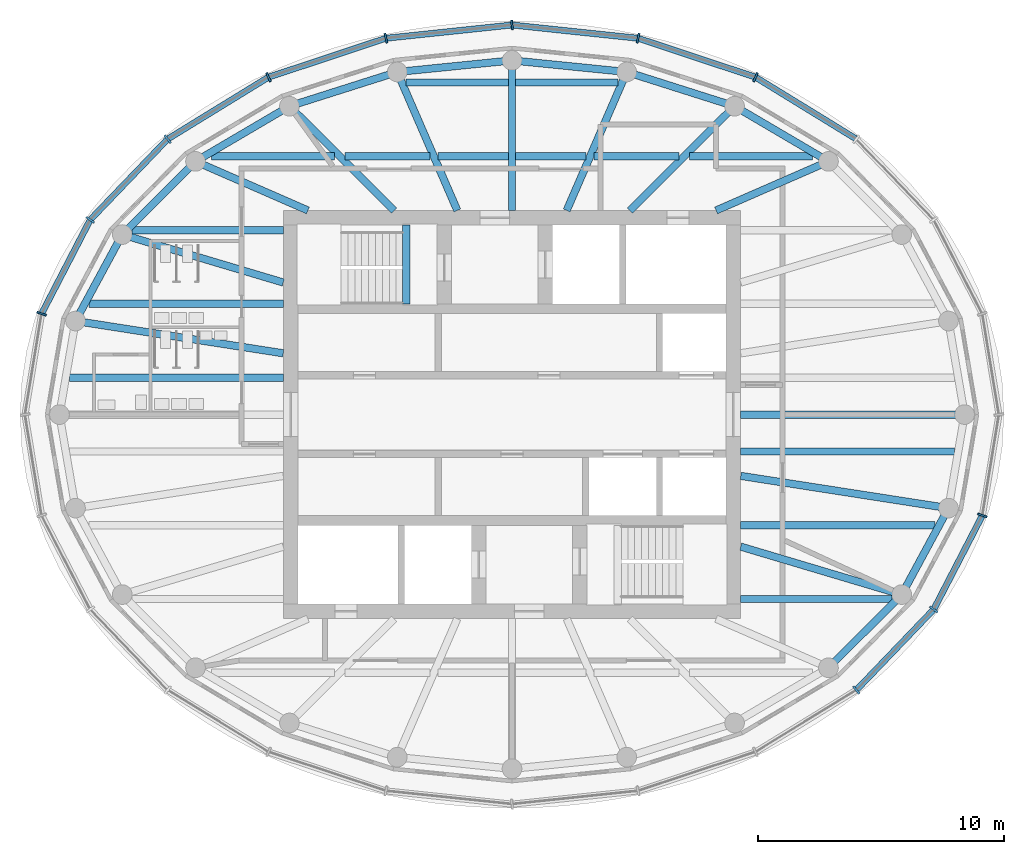
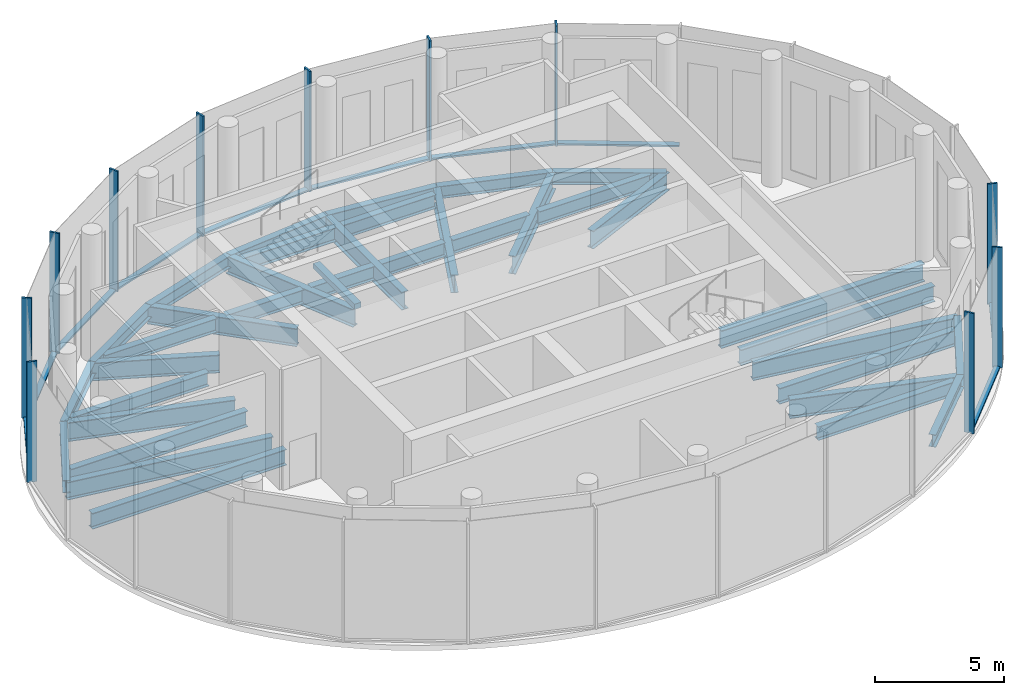
# One storey, part 2 of 11: 37 beams, 21 members, 3 elements without a shape of their own.
"""IFC4 building model written with IfcOpenShell, lengths in metres."""

from ifc_helpers import new_model, si_unit, direction, frame, origin, origin_2d, place, context, subcontext, project, spatial, rectangle, i_section, extrude, material, material_profile, profile_set, type_object, element, aggregate, save


model = new_model("IFC4")

# Units and contexts
model_context = context("Model", 3, precision=1e-05, world=origin(), true_north=direction((0.0, 1.0)))
body_context = subcontext(model_context, "Body", "Model", "MODEL_VIEW")
ifc_project = project(units=[si_unit("LENGTHUNIT", "METRE"), si_unit("AREAUNIT", "SQUARE_METRE"), si_unit("VOLUMEUNIT", "CUBIC_METRE"), si_unit("PLANEANGLEUNIT", "RADIAN"), si_unit("MASSUNIT", "GRAM", prefix="KILO")], contexts=[model_context])

# Site, building, storey
site_placement = place(None, origin())
site = spatial("IfcSite", under=ifc_project, at=site_placement, CompositionType="ELEMENT")
building_placement = place(site_placement, origin())
building = spatial("IfcBuilding", under=site, at=building_placement, Name="Hankou Lantern Tower", CompositionType="ELEMENT")
storey_placement = place(building_placement, frame((0.0, 0.0, 242.699951171875)))
storey = spatial("IfcBuildingStorey", under=building, at=storey_placement, Name="L65", CompositionType="ELEMENT", Elevation=242.699951171875)

# Beams
ifc_material_1 = material(Name="Steel Q355B", Category="steel")
ifc_material_profile_1 = material_profile(ifc_material_1, i_section(OverallWidth=0.300048828125, OverallDepth=0.587890625, WebThickness=0.011962890625, FlangeThickness=0.02001953125, FilletRadius=0.01806640625, at=origin_2d()), Name="HM588x300x12x20")
ifc_profile_set_1 = profile_set([ifc_material_profile_1], Name="Steel Q355B")
beam_type_1 = type_object("IfcBeamType", Name="EB16 RING BEAM HM588x300x12x20", PredefinedType="SPANDREL", material=ifc_profile_set_1)
beam_1_placement = place(storey_placement, frame((12.866943359375, 10.293701171875, -0.5439453125), z_axis=(-0.862064554074, 0.506798485207, 0.0), x_axis=(-0.506798485207, -0.862064554074, 0.0)))
element("IfcBeam", 1, at=beam_1_placement, inside=storey, type_object=beam_type_1, Name="Ring beam R04-R05 L65", PredefinedType="SPANDREL", context=body_context, shape_type="SweptSolid", body=[
    extrude(i_section(OverallWidth=0.300048828125, OverallDepth=0.587890625, WebThickness=0.011962890625, FlangeThickness=0.02001953125, FilletRadius=0.01806640625, at=origin_2d()), origin(), (0.0, 0.0, 1.0), 4.428955078125),
])
beam_2_placement = place(storey_placement, frame((9.048828125, 12.538330078125, -0.5439453125), z_axis=(-0.953150024165, 0.302497985836, 0.0), x_axis=(-0.302497985836, -0.953150024165, 0.0)))
element("IfcBeam", 2, at=beam_2_placement, inside=storey, type_object=beam_type_1, Name="Ring beam R05-R06 L65", PredefinedType="SPANDREL", context=body_context, shape_type="SweptSolid", body=[
    extrude(i_section(OverallWidth=0.300048828125, OverallDepth=0.587890625, WebThickness=0.011962890625, FlangeThickness=0.02001953125, FilletRadius=0.01806640625, at=origin_2d()), origin(), (0.0, 0.0, 1.0), 4.5986328125),
])
for number, where, z_axis, x_axis, name in (
    (3, (4.66552734375, 13.929443359375, -0.5439453125), (-0.994954369815, 0.100328470467, 0.0), (-0.100328470467, -0.994954369815, 0.0), "Ring beam R06-R07 L65"),
    (4, (0.0, 14.39990234375, -0.5439453125), (-0.994954369815, -0.100328470467, 0.0), (0.100328470467, -0.994954369815, 0.0), "Ring beam R07-R08 L65"),
):
    element("IfcBeam", number, at=place(storey_placement, frame(where, z_axis=z_axis, x_axis=x_axis)), inside=storey, type_object=beam_type_1, Name=name, PredefinedType="SPANDREL", context=body_context, shape_type="SweptSolid", body=[
        extrude(i_section(OverallWidth=0.300048828125, OverallDepth=0.587890625, WebThickness=0.011962890625, FlangeThickness=0.02001953125, FilletRadius=0.01806640625, at=origin_2d()), origin(), (0.0, 0.0, 1.0), 4.689208984375),
    ])
beam_3_placement = place(storey_placement, frame((-4.66552734375, 13.929443359375, -0.5439453125), z_axis=(-0.953150024165, -0.302497985836, 0.0), x_axis=(0.302497985836, -0.953150024165, 0.0)))
element("IfcBeam", 5, at=beam_3_placement, inside=storey, type_object=beam_type_1, Name="Ring beam R08-R09 L65", PredefinedType="SPANDREL", context=body_context, shape_type="SweptSolid", body=[
    extrude(i_section(OverallWidth=0.300048828125, OverallDepth=0.587890625, WebThickness=0.011962890625, FlangeThickness=0.02001953125, FilletRadius=0.01806640625, at=origin_2d()), origin(), (0.0, 0.0, 1.0), 4.5986328125),
])
beam_4_placement = place(storey_placement, frame((-9.048828125, 12.538330078125, -0.5439453125), z_axis=(-0.862064554074, -0.506798485207, 0.0), x_axis=(0.506798485207, -0.862064554074, 0.0)))
element("IfcBeam", 6, at=beam_4_placement, inside=storey, type_object=beam_type_1, Name="Ring beam R09-R10 L65", PredefinedType="SPANDREL", context=body_context, shape_type="SweptSolid", body=[
    extrude(i_section(OverallWidth=0.300048828125, OverallDepth=0.587890625, WebThickness=0.011962890625, FlangeThickness=0.02001953125, FilletRadius=0.01806640625, at=origin_2d()), origin(), (0.0, 0.0, 1.0), 4.428955078125),
])
beam_5_placement = place(storey_placement, frame((-12.866943359375, 10.293701171875, -0.5439453125), z_axis=(-0.707657475865, -0.706555657293, 0.0), x_axis=(0.706555657293, -0.707657475865, 0.0)))
element("IfcBeam", 7, at=beam_5_placement, inside=storey, type_object=beam_type_1, Name="Ring beam R10-R11 L65", PredefinedType="SPANDREL", context=body_context, shape_type="SweptSolid", body=[
    extrude(i_section(OverallWidth=0.300048828125, OverallDepth=0.587890625, WebThickness=0.011962890625, FlangeThickness=0.02001953125, FilletRadius=0.01806640625, at=origin_2d()), origin(), (0.0, 0.0, 1.0), 4.2099609375),
])
beam_6_placement = place(storey_placement, frame((-15.84619140625, 7.319091796875, -0.5439453125), z_axis=(-0.475556651725, -0.879685097634, 0.0), x_axis=(0.879685097634, -0.475556651725, 0.0)))
element("IfcBeam", 8, at=beam_6_placement, inside=storey, type_object=beam_type_1, Name="Ring beam R11-R12 L65", PredefinedType="SPANDREL", context=body_context, shape_type="SweptSolid", body=[
    extrude(i_section(OverallWidth=0.300048828125, OverallDepth=0.587890625, WebThickness=0.011962890625, FlangeThickness=0.02001953125, FilletRadius=0.01806640625, at=origin_2d()), origin(), (0.0, 0.0, 1.0), 3.99560546875),
])
beam_7_placement = place(storey_placement, frame((12.866943359375, -10.293701171875, -0.5439453125), z_axis=(0.707657475865, 0.706555657293, 0.0), x_axis=(-0.706555657293, 0.707657475865, 0.0)))
element("IfcBeam", 9, at=beam_7_placement, inside=storey, type_object=beam_type_1, Name="Ring beam R22-R23 L65", PredefinedType="SPANDREL", context=body_context, shape_type="SweptSolid", body=[
    extrude(i_section(OverallWidth=0.300048828125, OverallDepth=0.587890625, WebThickness=0.011962890625, FlangeThickness=0.02001953125, FilletRadius=0.01806640625, at=origin_2d()), origin(), (0.0, 0.0, 1.0), 4.2099609375),
])
beam_8_placement = place(storey_placement, frame((15.84619140625, -7.319091796875, -0.5439453125), z_axis=(0.475556651725, 0.879685097634, 0.0), x_axis=(-0.879685097634, 0.475556651725, 0.0)))
element("IfcBeam", 10, at=beam_8_placement, inside=storey, type_object=beam_type_1, Name="Ring beam R23-R24 L65", PredefinedType="SPANDREL", context=body_context, shape_type="SweptSolid", body=[
    extrude(i_section(OverallWidth=0.300048828125, OverallDepth=0.587890625, WebThickness=0.011962890625, FlangeThickness=0.02001953125, FilletRadius=0.01806640625, at=origin_2d()), origin(), (0.0, 0.0, 1.0), 3.99560546875),
])
ifc_material_2 = material(Name="Concrete C40", Category="concrete")
ifc_material_profile_2 = material_profile(ifc_material_2, rectangle(XDim=0.300048828125, YDim=0.25, at=origin_2d()), Name="RC 300x250")
ifc_profile_set_2 = profile_set([ifc_material_profile_2], Name="Concrete C40")
beam_type_2 = type_object("IfcBeamType", Name="LB1 STAIR LANDING BEAM RC 300x250", PredefinedType="BEAM", material=ifc_profile_set_2)
beam_9_placement = place(storey_placement, frame((-4.300048828125, 4.5, 2.875), z_axis=(0.0, 1.0, 0.0), x_axis=(-1.0, 0.0, 0.0)))
element("IfcBeam", 11, at=beam_9_placement, inside=storey, type_object=beam_type_2, Name="Stair STA landing beam L65", PredefinedType="BEAM", context=body_context, shape_type="SweptSolid", body=[
    extrude(rectangle(XDim=0.300048828125, YDim=0.25, at=origin_2d()), origin(), (0.0, 0.0, 1.0), 3.199951171875),
])

# Curtain wall, members
ifc_material_3 = material(Name="Glass, dark grey tinted laminated", Category="glass")
curtain_wall_type = type_object("IfcCurtainWallType", Name="CWE OUTER SKIN CROWN", PredefinedType="USERDEFINED", material=ifc_material_3)
curtain_wall_1_placement = place(storey_placement, origin())
curtain_wall_1 = element("IfcCurtainWall", 12, at=curtain_wall_1_placement, inside=storey, type_object=curtain_wall_type, Name="CWE L65 OS1", ObjectType="OUTER SKIN CROWN", PredefinedType="USERDEFINED")
ifc_material_4 = material(Name="Aluminium, black anodised", Category="aluminium")
ifc_material_profile_3 = material_profile(ifc_material_4, rectangle(XDim=0.080078125, YDim=0.39990234375, at=origin_2d()), Name="MU3 80X400")
ifc_profile_set_3 = profile_set([ifc_material_profile_3], Name="Aluminium, black anodised")
member_type_1 = type_object("IfcMemberType", Name="MU3 OUTER SKIN TALL MULLION 80X400", PredefinedType="MULLION", material=ifc_profile_set_3)
member_1_placement = place(storey_placement, frame((9.89990234375, 13.7177734375, 0.0), z_axis=(0.0, 0.0, 1.0), x_axis=(-0.907841299004, 0.419313934686, 0.0)))
member_1 = element("IfcMember", 13, at=member_1_placement, type_object=member_type_1, Name="CWE mullion 5", PredefinedType="MULLION", context=body_context, shape_type="SweptSolid", body=[
    extrude(rectangle(XDim=0.080078125, YDim=0.39990234375, at=origin_2d()), origin(), (0.0, 0.0, 1.0), 5.699951171875),
])
member_2_placement = place(storey_placement, frame((5.12451171875, 15.30029296875, 0.0), z_axis=(0.0, 0.0, 1.0), x_axis=(-0.977787659625, 0.209597931016, 0.0)))
member_2 = element("IfcMember", 14, at=member_2_placement, type_object=member_type_1, Name="CWE mullion 6", PredefinedType="MULLION", context=body_context, shape_type="SweptSolid", body=[
    extrude(rectangle(XDim=0.080078125, YDim=0.39990234375, at=origin_2d()), origin(), (0.0, 0.0, 1.0), 5.699951171875),
])

curtain_wall_2_placement = place(storey_placement, origin())
curtain_wall_2 = element("IfcCurtainWall", 15, at=curtain_wall_2_placement, inside=storey, type_object=curtain_wall_type, Name="CWE L65 OS2", ObjectType="OUTER SKIN CROWN", PredefinedType="USERDEFINED")
member_3_placement = place(storey_placement, frame((0.0, 15.840087890625, 0.0), z_axis=(0.0, 0.0, 1.0), x_axis=(-0.994499359107, -0.104742659579, 0.0)))
member_3 = element("IfcMember", 16, at=member_3_placement, type_object=member_type_1, Name="CWE mullion 1", PredefinedType="MULLION", context=body_context, shape_type="SweptSolid", body=[
    extrude(rectangle(XDim=0.080078125, YDim=0.39990234375, at=origin_2d()), origin(), (0.0, 0.0, 1.0), 5.699951171875),
])
member_4_placement = place(storey_placement, frame((-5.12451171875, 15.30029296875, 0.0), z_axis=(0.0, 0.0, 1.0), x_axis=(-0.977787659625, -0.209597931016, 0.0)))
member_4 = element("IfcMember", 17, at=member_4_placement, type_object=member_type_1, Name="CWE mullion 2", PredefinedType="MULLION", context=body_context, shape_type="SweptSolid", body=[
    extrude(rectangle(XDim=0.080078125, YDim=0.39990234375, at=origin_2d()), origin(), (0.0, 0.0, 1.0), 5.699951171875),
])
member_5_placement = place(storey_placement, frame((-9.89990234375, 13.7177734375, 0.0), z_axis=(0.0, 0.0, 1.0), x_axis=(-0.907841299004, -0.419313934686, 0.0)))
member_5 = element("IfcMember", 18, at=member_5_placement, type_object=member_type_1, Name="CWE mullion 3", PredefinedType="MULLION", context=body_context, shape_type="SweptSolid", body=[
    extrude(rectangle(XDim=0.080078125, YDim=0.39990234375, at=origin_2d()), origin(), (0.0, 0.0, 1.0), 5.699951171875),
])
member_6_placement = place(storey_placement, frame((-14.000732421875, 11.20068359375, 0.0), z_axis=(0.0, 0.0, 1.0), x_axis=(-0.780868809444, -0.624695047553, 0.0)))
member_6 = element("IfcMember", 19, at=member_6_placement, type_object=member_type_1, Name="CWE mullion 4", PredefinedType="MULLION", context=body_context, shape_type="SweptSolid", body=[
    extrude(rectangle(XDim=0.080078125, YDim=0.39990234375, at=origin_2d()), origin(), (0.0, 0.0, 1.0), 5.699951171875),
])
member_7_placement = place(storey_placement, frame((-17.147216796875, 7.919921875, 0.0), z_axis=(0.0, 0.0, 1.0), x_axis=(-0.585205735974, -0.810884854084, 0.0)))
member_7 = element("IfcMember", 20, at=member_7_placement, type_object=member_type_1, Name="CWE mullion 5", PredefinedType="MULLION", context=body_context, shape_type="SweptSolid", body=[
    extrude(rectangle(XDim=0.080078125, YDim=0.39990234375, at=origin_2d()), origin(), (0.0, 0.0, 1.0), 5.699951171875),
])
member_8_placement = place(storey_placement, frame((-19.125244140625, 4.099609375, 0.0), z_axis=(0.0, 0.0, 1.0), x_axis=(-0.317595577365, -0.94822626479, 0.0)))
member_8 = element("IfcMember", 21, at=member_8_placement, type_object=member_type_1, Name="CWE mullion 6", PredefinedType="MULLION", context=body_context, shape_type="SweptSolid", body=[
    extrude(rectangle(XDim=0.080078125, YDim=0.39990234375, at=origin_2d()), origin(), (0.0, 0.0, 1.0), 5.699951171875),
])

curtain_wall_3_placement = place(storey_placement, origin())
curtain_wall_3 = element("IfcCurtainWall", 22, at=curtain_wall_3_placement, inside=storey, type_object=curtain_wall_type, Name="CWE L65 OS4", ObjectType="OUTER SKIN CROWN", PredefinedType="USERDEFINED")
member_9_placement = place(storey_placement, frame((14.000732421875, -11.20068359375, 0.0), z_axis=(0.0, 0.0, 1.0), x_axis=(0.780868809444, 0.624695047553, 0.0)))
member_9 = element("IfcMember", 23, at=member_9_placement, type_object=member_type_1, Name="CWE mullion 4", PredefinedType="MULLION", context=body_context, shape_type="SweptSolid", body=[
    extrude(rectangle(XDim=0.080078125, YDim=0.39990234375, at=origin_2d()), origin(), (0.0, 0.0, 1.0), 5.699951171875),
])
member_10_placement = place(storey_placement, frame((17.147216796875, -7.919921875, 0.0), z_axis=(0.0, 0.0, 1.0), x_axis=(0.585205735974, 0.810884854084, 0.0)))
member_10 = element("IfcMember", 24, at=member_10_placement, type_object=member_type_1, Name="CWE mullion 5", PredefinedType="MULLION", context=body_context, shape_type="SweptSolid", body=[
    extrude(rectangle(XDim=0.080078125, YDim=0.39990234375, at=origin_2d()), origin(), (0.0, 0.0, 1.0), 5.699951171875),
])
member_11_placement = place(storey_placement, frame((19.125244140625, -4.099609375, 0.0), z_axis=(0.0, 0.0, 1.0), x_axis=(0.317595577365, 0.94822626479, 0.0)))
member_11 = element("IfcMember", 25, at=member_11_placement, type_object=member_type_1, Name="CWE mullion 6", PredefinedType="MULLION", context=body_context, shape_type="SweptSolid", body=[
    extrude(rectangle(XDim=0.080078125, YDim=0.39990234375, at=origin_2d()), origin(), (0.0, 0.0, 1.0), 5.699951171875),
])

# Beams
ifc_material_5 = material(Name="Steel Q355B", Category="steel")
ifc_material_profile_4 = material_profile(ifc_material_5, i_section(OverallWidth=0.300048828125, OverallDepth=0.85009765625, WebThickness=0.01611328125, FlangeThickness=0.027099609375, FilletRadius=0.01806640625, at=origin_2d()), Name="HN850x300x16x27")
ifc_profile_set_4 = profile_set([ifc_material_profile_4], Name="Steel Q355B")
beam_type_3 = type_object("IfcBeamType", Name="RB12 RADIAL BEAM HN850x300x16x27", PredefinedType="BEAM", material=ifc_profile_set_4)
beam_10_placement = place(storey_placement, frame((9.300048828125, 0.0, -0.675048828125), z_axis=(1.0, 0.0, 0.0), x_axis=(0.0, 1.0, 0.0)))
element("IfcBeam", 26, at=beam_10_placement, inside=storey, type_object=beam_type_3, Name="Radial beam R01 L65", PredefinedType="BEAM", context=body_context, shape_type="SweptSolid", body=[
    extrude(i_section(OverallWidth=0.300048828125, OverallDepth=0.85009765625, WebThickness=0.01611328125, FlangeThickness=0.027099609375, FilletRadius=0.01806640625, at=origin_2d()), origin(), (0.0, 0.0, 1.0), 9.099853515625),
])
beam_11_placement = place(storey_placement, frame((8.300048828125, 8.300048828125, -0.675048828125), z_axis=(0.91647863232, 0.400083636882, 0.0), x_axis=(-0.400083636882, 0.91647863232, 0.0)))
element("IfcBeam", 27, at=beam_11_placement, inside=storey, type_object=beam_type_3, Name="Radial beam R04 L65", PredefinedType="BEAM", context=body_context, shape_type="SweptSolid", body=[
    extrude(i_section(OverallWidth=0.300048828125, OverallDepth=0.85009765625, WebThickness=0.01611328125, FlangeThickness=0.027099609375, FilletRadius=0.01806640625, at=origin_2d()), origin(), (0.0, 0.0, 1.0), 4.983154296875),
])
beam_12_placement = place(storey_placement, frame((4.7919921875, 8.300048828125, -0.675048828125), z_axis=(0.708649524574, 0.705560664522, 0.0), x_axis=(-0.705560664522, 0.708649524574, 0.0)))
element("IfcBeam", 28, at=beam_12_placement, inside=storey, type_object=beam_type_3, Name="Radial beam R05 L65", PredefinedType="BEAM", context=body_context, shape_type="SweptSolid", body=[
    extrude(i_section(OverallWidth=0.300048828125, OverallDepth=0.85009765625, WebThickness=0.01611328125, FlangeThickness=0.027099609375, FilletRadius=0.01806640625, at=origin_2d()), origin(), (0.0, 0.0, 1.0), 6.007080078125),
])
beam_13_placement = place(storey_placement, frame((2.223876953125, 8.300048828125, -0.675048828125), z_axis=(0.397915592164, 0.917422030209, 0.0), x_axis=(-0.917422030209, 0.397915592164, 0.0)))
element("IfcBeam", 29, at=beam_13_placement, inside=storey, type_object=beam_type_3, Name="Radial beam R06 L65", PredefinedType="BEAM", context=body_context, shape_type="SweptSolid", body=[
    extrude(i_section(OverallWidth=0.300048828125, OverallDepth=0.85009765625, WebThickness=0.01611328125, FlangeThickness=0.027099609375, FilletRadius=0.01806640625, at=origin_2d()), origin(), (0.0, 0.0, 1.0), 6.135986328125),
])
beam_14_placement = place(storey_placement, frame((0.0, 8.300048828125, -0.675048828125), z_axis=(0.0, 1.0, 0.0), x_axis=(-1.0, 0.0, 0.0)))
element("IfcBeam", 30, at=beam_14_placement, inside=storey, type_object=beam_type_3, Name="Radial beam R07 L65", PredefinedType="BEAM", context=body_context, shape_type="SweptSolid", body=[
    extrude(i_section(OverallWidth=0.300048828125, OverallDepth=0.85009765625, WebThickness=0.01611328125, FlangeThickness=0.027099609375, FilletRadius=0.01806640625, at=origin_2d()), origin(), (0.0, 0.0, 1.0), 6.099853515625),
])
beam_15_placement = place(storey_placement, frame((-2.223876953125, 8.300048828125, -0.675048828125), z_axis=(-0.397915592164, 0.917422030209, 0.0), x_axis=(-0.917422030209, -0.397915592164, 0.0)))
element("IfcBeam", 31, at=beam_15_placement, inside=storey, type_object=beam_type_3, Name="Radial beam R08 L65", PredefinedType="BEAM", context=body_context, shape_type="SweptSolid", body=[
    extrude(i_section(OverallWidth=0.300048828125, OverallDepth=0.85009765625, WebThickness=0.01611328125, FlangeThickness=0.027099609375, FilletRadius=0.01806640625, at=origin_2d()), origin(), (0.0, 0.0, 1.0), 6.135986328125),
])
beam_16_placement = place(storey_placement, frame((-4.7919921875, 8.300048828125, -0.675048828125), z_axis=(-0.708649524574, 0.705560664522, 0.0), x_axis=(-0.705560664522, -0.708649524574, 0.0)))
element("IfcBeam", 32, at=beam_16_placement, inside=storey, type_object=beam_type_3, Name="Radial beam R09 L65", PredefinedType="BEAM", context=body_context, shape_type="SweptSolid", body=[
    extrude(i_section(OverallWidth=0.300048828125, OverallDepth=0.85009765625, WebThickness=0.01611328125, FlangeThickness=0.027099609375, FilletRadius=0.01806640625, at=origin_2d()), origin(), (0.0, 0.0, 1.0), 6.007080078125),
])
beam_17_placement = place(storey_placement, frame((-8.300048828125, 8.300048828125, -0.675048828125), z_axis=(-0.91647863232, 0.400083636882, 0.0), x_axis=(-0.400083636882, -0.91647863232, 0.0)))
element("IfcBeam", 33, at=beam_17_placement, inside=storey, type_object=beam_type_3, Name="Radial beam R10 L65", PredefinedType="BEAM", context=body_context, shape_type="SweptSolid", body=[
    extrude(i_section(OverallWidth=0.300048828125, OverallDepth=0.85009765625, WebThickness=0.01611328125, FlangeThickness=0.027099609375, FilletRadius=0.01806640625, at=origin_2d()), origin(), (0.0, 0.0, 1.0), 4.983154296875),
])
for number, where, z_axis, x_axis, name in (
    (34, (-9.300048828125, 2.491943359375, -0.675048828125), (-0.988145083079, 0.153522945472, 0.0), (-0.153522945472, -0.988145083079, 0.0), "Radial beam R12 L65"),
    (35, (9.300048828125, -2.491943359375, -0.675048828125), (0.988145083079, -0.153522945472, 0.0), (0.153522945472, 0.988145083079, 0.0), "Radial beam R24 L65"),
):
    element("IfcBeam", number, at=place(storey_placement, frame(where, z_axis=z_axis, x_axis=x_axis)), inside=storey, type_object=beam_type_3, Name=name, PredefinedType="BEAM", context=body_context, shape_type="SweptSolid", body=[
        extrude(i_section(OverallWidth=0.300048828125, OverallDepth=0.85009765625, WebThickness=0.01611328125, FlangeThickness=0.027099609375, FilletRadius=0.01806640625, at=origin_2d()), origin(), (0.0, 0.0, 1.0), 8.547607421875),
    ])
ifc_material_6 = material(Name="Steel Q355B", Category="steel")
ifc_material_profile_5 = material_profile(ifc_material_6, i_section(OverallWidth=0.300048828125, OverallDepth=0.89990234375, WebThickness=0.01611328125, FlangeThickness=0.028076171875, FilletRadius=0.01806640625, at=origin_2d()), Name="HN900x300x16x28")
ifc_profile_set_5 = profile_set([ifc_material_profile_5], Name="Steel Q355B")
beam_type_4 = type_object("IfcBeamType", Name="RB13 RADIAL BEAM HN900x300x16x28", PredefinedType="BEAM", material=ifc_profile_set_5)
for number, where, z_axis, x_axis, name in (
    (36, (-9.300048828125, 5.369384765625, -0.699951171875), (-0.958394006021, 0.285448645511, 0.0), (-0.285448645511, -0.958394006021, 0.0), "Radial beam R11 L65"),
    (37, (9.300048828125, -5.369384765625, -0.699951171875), (0.958394006021, -0.285448645511, 0.0), (0.285448645511, 0.958394006021, 0.0), "Radial beam R23 L65"),
):
    element("IfcBeam", number, at=place(storey_placement, frame(where, z_axis=z_axis, x_axis=x_axis)), inside=storey, type_object=beam_type_4, Name=name, PredefinedType="BEAM", context=body_context, shape_type="SweptSolid", body=[
        extrude(i_section(OverallWidth=0.300048828125, OverallDepth=0.89990234375, WebThickness=0.01611328125, FlangeThickness=0.028076171875, FilletRadius=0.01806640625, at=origin_2d()), origin(), (0.0, 0.0, 1.0), 6.830322265625),
    ])
ifc_material_7 = material(Name="Steel Q355B", Category="steel")
ifc_material_profile_6 = material_profile(ifc_material_7, i_section(OverallWidth=0.300048828125, OverallDepth=0.75, WebThickness=0.012939453125, FlangeThickness=0.02392578125, FilletRadius=0.01806640625, at=origin_2d()), Name="HN750x300x13x24")
ifc_profile_set_6 = profile_set([ifc_material_profile_6], Name="Steel Q355B")
beam_type_5 = type_object("IfcBeamType", Name="SB10 SECONDARY BEAM HN750x300x13x24", PredefinedType="JOIST", material=ifc_profile_set_6)
beam_18_placement = place(storey_placement, frame((9.300048828125, -4.5, -0.625), z_axis=(1.0, 0.0, 0.0), x_axis=(0.0, 1.0, 0.0)))
element("IfcBeam", 38, at=beam_18_placement, inside=storey, type_object=beam_type_5, Name="Floor joist J010 L65", PredefinedType="JOIST", context=body_context, shape_type="SweptSolid", body=[
    extrude(i_section(OverallWidth=0.300048828125, OverallDepth=0.75, WebThickness=0.012939453125, FlangeThickness=0.02392578125, FilletRadius=0.01806640625, at=origin_2d()), origin(), (0.0, 0.0, 1.0), 7.8994140625),
])
for number, where, z_axis, x_axis, name in (
    (39, (9.300048828125, -1.5, -0.625), (1.0, 0.0, 0.0), (0.0, 1.0, 0.0), "Floor joist J012 L65"),
    (40, (-17.989990234375, 1.5, -0.625), (1.0, 0.0, 0.0), (0.0, 1.0, 0.0), "Floor joist J013 L65"),
):
    element("IfcBeam", number, at=place(storey_placement, frame(where, z_axis=z_axis, x_axis=x_axis)), inside=storey, type_object=beam_type_5, Name=name, PredefinedType="JOIST", context=body_context, shape_type="SweptSolid", body=[
        extrude(i_section(OverallWidth=0.300048828125, OverallDepth=0.75, WebThickness=0.012939453125, FlangeThickness=0.02392578125, FilletRadius=0.01806640625, at=origin_2d()), origin(), (0.0, 0.0, 1.0), 8.68994140625),
    ])
beam_19_placement = place(storey_placement, frame((-17.199462890625, 4.5, -0.625), z_axis=(1.0, 0.0, 0.0), x_axis=(0.0, 1.0, 0.0)))
element("IfcBeam", 41, at=beam_19_placement, inside=storey, type_object=beam_type_5, Name="Floor joist J015 L65", PredefinedType="JOIST", context=body_context, shape_type="SweptSolid", body=[
    extrude(i_section(OverallWidth=0.300048828125, OverallDepth=0.75, WebThickness=0.012939453125, FlangeThickness=0.02392578125, FilletRadius=0.01806640625, at=origin_2d()), origin(), (0.0, 0.0, 1.0), 7.8994140625),
])
ifc_material_8 = material(Name="Steel Q355B", Category="steel")
ifc_material_profile_7 = material_profile(ifc_material_8, i_section(OverallWidth=0.300048828125, OverallDepth=0.64990234375, WebThickness=0.010986328125, FlangeThickness=0.01708984375, FilletRadius=0.01806640625, at=origin_2d()), Name="HN650x300x11x17")
ifc_profile_set_7 = profile_set([ifc_material_profile_7], Name="Steel Q355B")
beam_type_6 = type_object("IfcBeamType", Name="SB8 SECONDARY BEAM HN650x300x11x17", PredefinedType="JOIST", material=ifc_profile_set_7)
for number, where, z_axis, x_axis, name in (
    (42, (9.300048828125, -7.5, -0.574951171875), (1.0, 0.0, 0.0), (0.0, 1.0, 0.0), "Floor joist J008 L65"),
    (43, (-15.452392578125, 7.5, -0.574951171875), (1.0, 0.0, 0.0), (0.0, 1.0, 0.0), "Floor joist J017 L65"),
):
    element("IfcBeam", number, at=place(storey_placement, frame(where, z_axis=z_axis, x_axis=x_axis)), inside=storey, type_object=beam_type_6, Name=name, PredefinedType="JOIST", context=body_context, shape_type="SweptSolid", body=[
        extrude(i_section(OverallWidth=0.300048828125, OverallDepth=0.64990234375, WebThickness=0.010986328125, FlangeThickness=0.01708984375, FilletRadius=0.01806640625, at=origin_2d()), origin(), (0.0, 0.0, 1.0), 6.15234375),
    ])
beam_20_placement = place(storey_placement, frame((-12.219970703125, 10.5, -0.574951171875), z_axis=(1.0, 0.0, 0.0), x_axis=(0.0, 1.0, 0.0)))
element("IfcBeam", 44, at=beam_20_placement, inside=storey, type_object=beam_type_6, Name="Floor joist J019 L65", PredefinedType="JOIST", context=body_context, shape_type="SweptSolid", body=[
    extrude(i_section(OverallWidth=0.300048828125, OverallDepth=0.64990234375, WebThickness=0.010986328125, FlangeThickness=0.01708984375, FilletRadius=0.01806640625, at=origin_2d()), origin(), (0.0, 0.0, 1.0), 5.005859375),
])
beam_21_placement = place(storey_placement, frame((-6.7890625, 10.5, -0.574951171875), z_axis=(1.0, 0.0, 0.0), x_axis=(0.0, 1.0, 0.0)))
element("IfcBeam", 45, at=beam_21_placement, inside=storey, type_object=beam_type_6, Name="Floor joist J020 L65", PredefinedType="JOIST", context=body_context, shape_type="SweptSolid", body=[
    extrude(i_section(OverallWidth=0.300048828125, OverallDepth=0.64990234375, WebThickness=0.010986328125, FlangeThickness=0.01708984375, FilletRadius=0.01806640625, at=origin_2d()), origin(), (0.0, 0.0, 1.0), 3.447509765625),
])
for number, where, z_axis, x_axis, name in (
    (46, (-3.0146484375, 10.5, -0.574951171875), (1.0, 0.0, 0.0), (0.0, 1.0, 0.0), "Floor joist J021 L65"),
    (47, (0.14990234375, 10.5, -0.574951171875), (1.0, 0.0, 0.0), (0.0, 1.0, 0.0), "Floor joist J022 L65"),
):
    element("IfcBeam", number, at=place(storey_placement, frame(where, z_axis=z_axis, x_axis=x_axis)), inside=storey, type_object=beam_type_6, Name=name, PredefinedType="JOIST", context=body_context, shape_type="SweptSolid", body=[
        extrude(i_section(OverallWidth=0.300048828125, OverallDepth=0.64990234375, WebThickness=0.010986328125, FlangeThickness=0.01708984375, FilletRadius=0.01806640625, at=origin_2d()), origin(), (0.0, 0.0, 1.0), 2.86474609375),
    ])
beam_22_placement = place(storey_placement, frame((3.341552734375, 10.5, -0.574951171875), z_axis=(1.0, 0.0, 0.0), x_axis=(0.0, 1.0, 0.0)))
element("IfcBeam", 48, at=beam_22_placement, inside=storey, type_object=beam_type_6, Name="Floor joist J023 L65", PredefinedType="JOIST", context=body_context, shape_type="SweptSolid", body=[
    extrude(i_section(OverallWidth=0.300048828125, OverallDepth=0.64990234375, WebThickness=0.010986328125, FlangeThickness=0.01708984375, FilletRadius=0.01806640625, at=origin_2d()), origin(), (0.0, 0.0, 1.0), 3.447509765625),
])
beam_23_placement = place(storey_placement, frame((7.214111328125, 10.5, -0.574951171875), z_axis=(1.0, 0.0, 0.0), x_axis=(0.0, 1.0, 0.0)))
element("IfcBeam", 49, at=beam_23_placement, inside=storey, type_object=beam_type_6, Name="Floor joist J024 L65", PredefinedType="JOIST", context=body_context, shape_type="SweptSolid", body=[
    extrude(i_section(OverallWidth=0.300048828125, OverallDepth=0.64990234375, WebThickness=0.010986328125, FlangeThickness=0.01708984375, FilletRadius=0.01806640625, at=origin_2d()), origin(), (0.0, 0.0, 1.0), 5.005859375),
])
for number, where, z_axis, x_axis, name in (
    (50, (-4.315673828125, 13.5, -0.574951171875), (1.0, 0.0, 0.0), (0.0, 1.0, 0.0), "Floor joist J025 L65"),
    (51, (0.14990234375, 13.5, -0.574951171875), (1.0, 0.0, 0.0), (0.0, 1.0, 0.0), "Floor joist J026 L65"),
):
    element("IfcBeam", number, at=place(storey_placement, frame(where, z_axis=z_axis, x_axis=x_axis)), inside=storey, type_object=beam_type_6, Name=name, PredefinedType="JOIST", context=body_context, shape_type="SweptSolid", body=[
        extrude(i_section(OverallWidth=0.300048828125, OverallDepth=0.64990234375, WebThickness=0.010986328125, FlangeThickness=0.01708984375, FilletRadius=0.01806640625, at=origin_2d()), origin(), (0.0, 0.0, 1.0), 4.165771484375),
    ])

# Member
ifc_material_9 = material(Name="Aluminium, black anodised", Category="aluminium")
ifc_material_profile_8 = material_profile(ifc_material_9, rectangle(XDim=0.25, YDim=0.080078125, at=origin_2d()), Name="TR3 250X80")
ifc_profile_set_8 = profile_set([ifc_material_profile_8], Name="Aluminium, black anodised")
member_type_2 = type_object("IfcMemberType", Name="TR3 OUTER SKIN TALL TRANSOM 250X80", PredefinedType="USERDEFINED", material=ifc_profile_set_8)
member_12_placement = place(storey_placement, frame((13.966552734375, 11.221435546875, 0.0400390625), z_axis=(-0.852217640669, 0.523187435756, 0.0), x_axis=(-0.523187435756, -0.852217640669, 0.0)))
member_12 = element("IfcMember", 52, at=member_12_placement, type_object=member_type_2, Name="CWE transom 4", ObjectType="TRANSOM", PredefinedType="USERDEFINED", context=body_context, shape_type="SweptSolid", body=[
    extrude(rectangle(XDim=0.25, YDim=0.080078125, at=origin_2d()), origin(), (0.0, 0.0, 1.0), 4.731689453125),
])

member_13_placement = place(storey_placement, frame((9.862060546875, 13.73046875, 0.0400390625), z_axis=(-0.949248885694, 0.314525917864, 0.0), x_axis=(-0.314525917864, -0.949248885694, 0.0)))
member_13 = element("IfcMember", 53, at=member_13_placement, type_object=member_type_2, Name="CWE transom 5", ObjectType="TRANSOM", PredefinedType="USERDEFINED", context=body_context, shape_type="SweptSolid", body=[
    extrude(rectangle(XDim=0.25, YDim=0.080078125, at=origin_2d()), origin(), (0.0, 0.0, 1.0), 4.95068359375),
])

member_14_placement = place(storey_placement, frame((5.084716796875, 15.304443359375, 0.0400390625), z_axis=(-0.994501232739, 0.104724868488, 0.0), x_axis=(-0.104724868488, -0.994501232739, 0.0)))
member_14 = element("IfcMember", 54, at=member_14_placement, type_object=member_type_2, Name="CWE transom 6", ObjectType="TRANSOM", PredefinedType="USERDEFINED", context=body_context, shape_type="SweptSolid", body=[
    extrude(rectangle(XDim=0.25, YDim=0.080078125, at=origin_2d()), origin(), (0.0, 0.0, 1.0), 5.07275390625),
])

aggregate(curtain_wall_1, [member_1, member_2, member_12, member_13, member_14])

member_15_placement = place(storey_placement, frame((-0.039794921875, 15.835693359375, 0.0400390625), z_axis=(-0.994501232739, -0.104724868488, 0.0), x_axis=(0.104724868488, -0.994501232739, 0.0)))
member_15 = element("IfcMember", 55, at=member_15_placement, type_object=member_type_2, Name="CWE transom 1", ObjectType="TRANSOM", PredefinedType="USERDEFINED", context=body_context, shape_type="SweptSolid", body=[
    extrude(rectangle(XDim=0.25, YDim=0.080078125, at=origin_2d()), origin(), (0.0, 0.0, 1.0), 5.07275390625),
])

member_16_placement = place(storey_placement, frame((-5.16259765625, 15.28759765625, 0.0400390625), z_axis=(-0.949248885694, -0.314525917864, 0.0), x_axis=(0.314525917864, -0.949248885694, 0.0)))
member_16 = element("IfcMember", 56, at=member_16_placement, type_object=member_type_2, Name="CWE transom 2", ObjectType="TRANSOM", PredefinedType="USERDEFINED", context=body_context, shape_type="SweptSolid", body=[
    extrude(rectangle(XDim=0.25, YDim=0.080078125, at=origin_2d()), origin(), (0.0, 0.0, 1.0), 4.95068359375),
])

member_17_placement = place(storey_placement, frame((-9.93408203125, 13.697021484375, 0.0400390625), z_axis=(-0.852217640669, -0.523187435756, 0.0), x_axis=(0.523187435756, -0.852217640669, 0.0)))
member_17 = element("IfcMember", 57, at=member_17_placement, type_object=member_type_2, Name="CWE transom 3", ObjectType="TRANSOM", PredefinedType="USERDEFINED", context=body_context, shape_type="SweptSolid", body=[
    extrude(rectangle(XDim=0.25, YDim=0.080078125, at=origin_2d()), origin(), (0.0, 0.0, 1.0), 4.731689453125),
])

member_18_placement = place(storey_placement, frame((-14.0283203125, 11.171630859375, 0.0400390625), z_axis=(-0.692247265369, -0.72166039353, 0.0), x_axis=(0.72166039353, -0.692247265369, 0.0)))
member_18 = element("IfcMember", 58, at=member_18_placement, type_object=member_type_2, Name="CWE transom 4", ObjectType="TRANSOM", PredefinedType="USERDEFINED", context=body_context, shape_type="SweptSolid", body=[
    extrude(rectangle(XDim=0.25, YDim=0.080078125, at=origin_2d()), origin(), (0.0, 0.0, 1.0), 4.465576171875),
])

member_19_placement = place(storey_placement, frame((-17.165771484375, 7.884521484375, 0.0400390625), z_axis=(-0.459775263862, -0.888035307148, 0.0), x_axis=(0.888035307148, -0.459775263862, 0.0)))
member_19 = element("IfcMember", 59, at=member_19_placement, type_object=member_type_2, Name="CWE transom 5", ObjectType="TRANSOM", PredefinedType="USERDEFINED", context=body_context, shape_type="SweptSolid", body=[
    extrude(rectangle(XDim=0.25, YDim=0.080078125, at=origin_2d()), origin(), (0.0, 0.0, 1.0), 4.221923828125),
])

aggregate(curtain_wall_2, [member_3, member_4, member_5, member_6, member_7, member_8, member_15, member_16, member_17, member_18, member_19])

member_20_placement = place(storey_placement, frame((14.0283203125, -11.171630859375, 0.0400390625), z_axis=(0.692247265369, 0.72166039353, 0.0), x_axis=(-0.72166039353, 0.692247265369, 0.0)))
member_20 = element("IfcMember", 60, at=member_20_placement, type_object=member_type_2, Name="CWE transom 4", ObjectType="TRANSOM", PredefinedType="USERDEFINED", context=body_context, shape_type="SweptSolid", body=[
    extrude(rectangle(XDim=0.25, YDim=0.080078125, at=origin_2d()), origin(), (0.0, 0.0, 1.0), 4.465576171875),
])

member_21_placement = place(storey_placement, frame((17.165771484375, -7.884521484375, 0.0400390625), z_axis=(0.459775263862, 0.888035307148, 0.0), x_axis=(-0.888035307148, 0.459775263862, 0.0)))
member_21 = element("IfcMember", 61, at=member_21_placement, type_object=member_type_2, Name="CWE transom 5", ObjectType="TRANSOM", PredefinedType="USERDEFINED", context=body_context, shape_type="SweptSolid", body=[
    extrude(rectangle(XDim=0.25, YDim=0.080078125, at=origin_2d()), origin(), (0.0, 0.0, 1.0), 4.221923828125),
])

aggregate(curtain_wall_3, [member_9, member_10, member_11, member_20, member_21])

save(model, "model.ifc")
